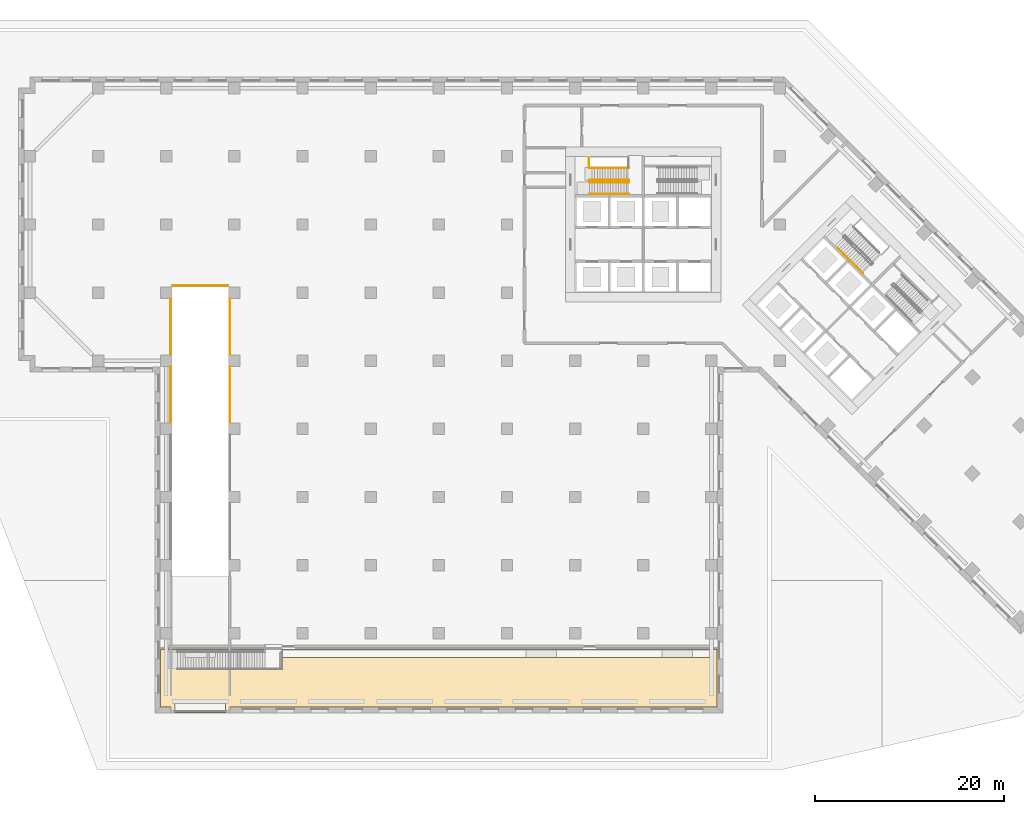
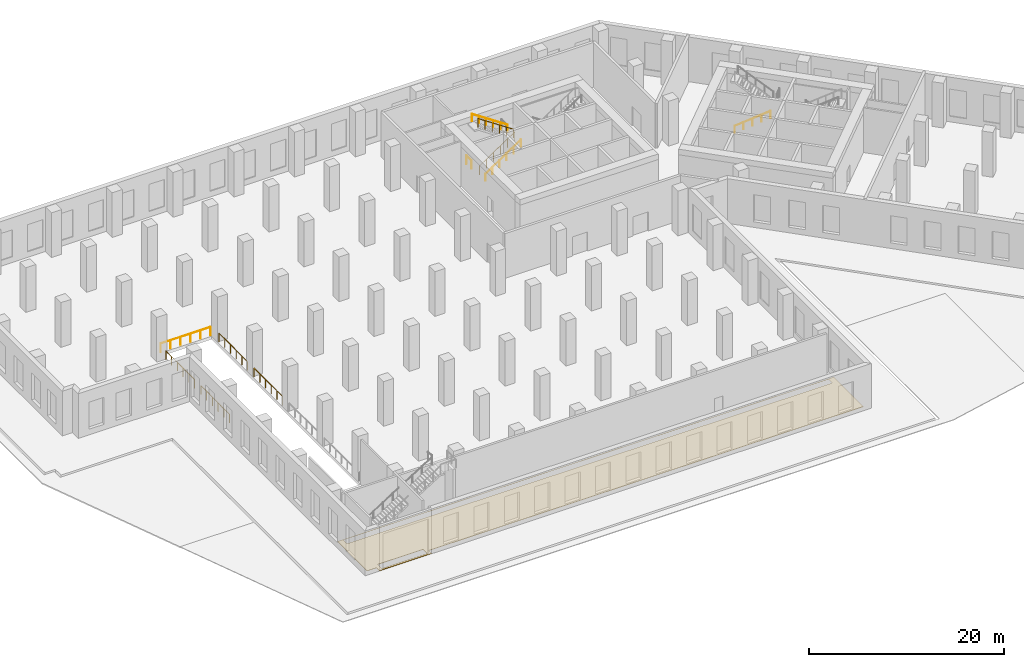
# One storey, part 12 of 15: 11 railings, 1 covering.
"""IFC4 building model written with IfcOpenShell, lengths in metres."""

import ifcopenshell
import ifcopenshell.guid

model = None  # the IFC model being written
_history = None  # IfcOwnerHistory: only IFC2X3 demands one
_inside = {}  # id of a spatial element -> (the spatial element, [elements in it])
_under = {}  # id of a project, library or spatial element -> (it, [spatial elements below it])
_declared = {}  # id of a project -> (the project, [libraries it declares])
_typed = {}  # id of a type object -> (the type object, [elements of that type])
_made_of = {}  # id of a material, layer set ... -> (it, [elements and type objects made of it])


def new_model(schema):
    """Start an empty IFC model of exactly this schema.

    Asked for "IFC4X3", IfcOpenShell would pick the latest addendum, in which some entities
    have other attributes; the version numbers below select the first issue.
    IFC2X3 requires an IfcOwnerHistory on every rooted entity: one is made here for all.
    """
    global model, _history
    if schema == "IFC4X3":
        model = ifcopenshell.file(schema_version=(4, 3, 0, 0))
    else:
        model = ifcopenshell.file(schema=schema)
    _inside.clear()
    _under.clear()
    _declared.clear()
    _typed.clear()
    _made_of.clear()
    _history = None
    if model.schema == "IFC2X3":
        org = make("IfcOrganization", Name="unknown")
        user = make(
            "IfcPersonAndOrganization",
            ThePerson=make("IfcPerson", FamilyName="unknown"),
            TheOrganization=org,
        )
        app = make(
            "IfcApplication",
            ApplicationDeveloper=org,
            Version="unknown",
            ApplicationFullName="unknown",
            ApplicationIdentifier="unknown",
        )
        _history = make(
            "IfcOwnerHistory",
            OwningUser=user,
            OwningApplication=app,
            ChangeAction="ADDED",
            CreationDate=0,
        )
    return model


def make(cls, **values):
    """One entity of the class cls with the attributes given. An attribute that is None is left unset."""
    return model.create_entity(
        cls, **{name: value for name, value in values.items() if value is not None}
    )


def rooted(cls, **values):
    """An entity with a GlobalId (a new one), such as an element, a storey or a relation."""
    return make(cls, GlobalId=ifcopenshell.guid.new(), OwnerHistory=_history, **values)


def si_unit(unit_type, name, prefix=None):
    """IfcSIUnit, for example si_unit("LENGTHUNIT", "METRE", prefix="MILLI")."""
    return make("IfcSIUnit", UnitType=unit_type, Prefix=prefix, Name=name)


def assignment(units):
    """IfcUnitAssignment: the units of a project."""
    return None if units is None else make("IfcUnitAssignment", Units=units)


def point(xyz):
    """IfcCartesianPoint."""
    return None if xyz is None else make("IfcCartesianPoint", Coordinates=xyz)


def direction(xyz):
    """IfcDirection."""
    return None if xyz is None else make("IfcDirection", DirectionRatios=xyz)


def frame(location, z_axis=None, x_axis=None):
    """IfcAxis2Placement3D, a coordinate frame: its origin and axes. An axis left out is left unset."""
    return make(
        "IfcAxis2Placement3D",
        Location=point(location),
        Axis=direction(z_axis),
        RefDirection=direction(x_axis),
    )


def frame_2d(location, x_axis=None):
    """IfcAxis2Placement2D, a coordinate frame in the plane: its origin and x axis."""
    return make(
        "IfcAxis2Placement2D", Location=point(location), RefDirection=direction(x_axis)
    )


def origin():
    """The frame at (0, 0, 0) with its axes left unset."""
    return frame((0.0, 0.0, 0.0))


def origin_2d():
    """The frame at (0, 0) in the plane with its x axis left unset."""
    return frame_2d((0.0, 0.0))


def place(relative_to, where):
    """IfcLocalPlacement: puts the frame where relative to a parent placement (None: the world)."""
    return make(
        "IfcLocalPlacement", PlacementRelTo=relative_to, RelativePlacement=where
    )


def context(
    kind, dimensions, precision=None, world=None, true_north=None, identifier=None
):
    """IfcGeometricRepresentationContext, for example the 3D "Model" context."""
    return make(
        "IfcGeometricRepresentationContext",
        ContextIdentifier=identifier,
        ContextType=kind,
        CoordinateSpaceDimension=dimensions,
        Precision=precision,
        WorldCoordinateSystem=world,
        TrueNorth=true_north,
    )


def subcontext(parent, identifier, kind, view, scale=None):
    """IfcGeometricRepresentationSubContext, for example "Body" below "Model"."""
    return make(
        "IfcGeometricRepresentationSubContext",
        ContextIdentifier=identifier,
        ContextType=kind,
        ParentContext=parent,
        TargetScale=scale,
        TargetView=view,
    )


def project(units=None, contexts=None):
    """IfcProject with its units and contexts."""
    return rooted(
        "IfcProject",
        Name="project",
        RepresentationContexts=contexts,
        UnitsInContext=assignment(units),
    )


def spatial(cls, under=None, at=None, **own):
    """A site, building, storey or space (cls), placed at a placement, below another one or the project."""
    s = rooted(cls, ObjectPlacement=at, **own)
    if under is not None:
        _under.setdefault(under.id(), (under, []))[1].append(s)
    return s


def polyline(points):
    """IfcPolyline through the points."""
    return make("IfcPolyline", Points=[point(p) for p in points])


def profile(cls, at=None, kind="AREA", **sizes):
    """A parametric profile (cls). Its sizes go by their IFC names, for example OverallWidth=200.0."""
    return make(cls, ProfileType=kind, Position=at, **sizes)


def circle(**sizes):
    """IfcCircleProfileDef."""
    return profile("IfcCircleProfileDef", **sizes)


def outline(outer, holes=None, kind="AREA"):
    """IfcArbitraryClosedProfileDef: a profile drawn as a closed curve; with holes, ...WithVoids."""
    if holes is None:
        return make("IfcArbitraryClosedProfileDef", ProfileType=kind, OuterCurve=outer)
    return make(
        "IfcArbitraryProfileDefWithVoids",
        ProfileType=kind,
        OuterCurve=outer,
        InnerCurves=holes,
    )


def extrude(swept, where, along, depth):
    """IfcExtrudedAreaSolid: the profile swept, set in the frame where, extruded along a direction by depth."""
    return make(
        "IfcExtrudedAreaSolid",
        SweptArea=swept,
        Position=where,
        ExtrudedDirection=direction(along),
        Depth=depth,
    )


def shape(context_of_items, identifier, shape_type, items):
    """IfcShapeRepresentation: the items that make up one representation, for example the "Body"."""
    return make(
        "IfcShapeRepresentation",
        ContextOfItems=context_of_items,
        RepresentationIdentifier=identifier,
        RepresentationType=shape_type,
        Items=items,
    )


def material(Name=None, Category=None):
    """IfcMaterial."""
    return make("IfcMaterial", Name=Name, Category=Category)


def layer(
    of_material, thickness, ventilated=None, Name=None, Category=None, Priority=None
):
    """IfcMaterialLayer: one layer of a wall or slab, of a material (None: an air gap)."""
    return make(
        "IfcMaterialLayer",
        Material=of_material,
        LayerThickness=thickness,
        IsVentilated=ventilated,
        Name=Name,
        Category=Category,
        Priority=Priority,
    )


def layer_set(layers, Name=None):
    """IfcMaterialLayerSet."""
    return make("IfcMaterialLayerSet", MaterialLayers=layers, LayerSetName=Name)


def made_of(thing, what):
    """Note that an element or type object is made of a material, layer set ...; save() writes the relation."""
    if what is not None:
        _made_of.setdefault(what.id(), (what, []))[1].append(thing)
    return thing


def type_object(cls, material=None, **own):
    """A type object (cls), such as IfcWallType, which elements share."""
    return made_of(rooted(cls, **own), material)


def element(
    cls,
    number,
    at=None,
    inside=None,
    cuts=None,
    type_object=None,
    material=None,
    context=None,
    identifier="Body",
    shape_type=None,
    held_by="IfcProductDefinitionShape",
    body=None,
    shapes=None,
    **own,
):
    """One element of the class cls, such as IfcWall. Its Tag is "e" and its number.

    at: its placement. inside: the storey or other place that contains it. cuts: it is an
    opening in that element (IfcRelVoidsElement). A single representation is given by context,
    identifier, shape_type and body (its items); several are given by shapes. held_by: the class
    of the entity that holds the representations. save() writes the other relations.
    """
    e = rooted(cls, Tag="e%d" % number, ObjectPlacement=at, **own)
    if body is not None:
        shapes = [shape(context, identifier, shape_type, body)]
    if shapes is not None:
        e.Representation = make(held_by, Representations=shapes)
    if inside is not None:
        _inside.setdefault(inside.id(), (inside, []))[1].append(e)
    if cuts is not None:
        rooted(
            "IfcRelVoidsElement", RelatingBuildingElement=cuts, RelatedOpeningElement=e
        )
    if type_object is not None:
        _typed.setdefault(type_object.id(), (type_object, []))[1].append(e)
    return made_of(e, material)


def aggregate(whole, parts):
    """IfcRelAggregates: a whole, such as a stair, and the parts it consists of."""
    return rooted("IfcRelAggregates", RelatingObject=whole, RelatedObjects=parts)


def save(model, path):
    """Write the relations noted so far, then the file.

    IfcRelAggregates (storeys below a building ...), IfcRelContainedInSpatialStructure (elements
    in a storey), IfcRelDefinesByType, IfcRelAssociatesMaterial and IfcRelDeclares: one each for
    every whole, place, type object, material and project.
    """
    for whole, parts in _under.values():
        aggregate(whole, parts)
    for where, things in _inside.values():
        rooted(
            "IfcRelContainedInSpatialStructure",
            RelatedElements=things,
            RelatingStructure=where,
        )
    for kind, things in _typed.values():
        rooted("IfcRelDefinesByType", RelatedObjects=things, RelatingType=kind)
    for what, things in _made_of.values():
        rooted("IfcRelAssociatesMaterial", RelatedObjects=things, RelatingMaterial=what)
    for by, libraries in _declared.values():
        rooted("IfcRelDeclares", RelatingContext=by, RelatedDefinitions=libraries)
    model.write(path)


model = new_model("IFC4")

# Units and contexts
model_context = context("Model", 3, precision=1e-05, world=origin(), true_north=direction((0.0, 1.0)))
body_context = subcontext(model_context, "Body", "Model", "MODEL_VIEW")
ifc_project = project(units=[si_unit("LENGTHUNIT", "METRE"), si_unit("AREAUNIT", "SQUARE_METRE"), si_unit("VOLUMEUNIT", "CUBIC_METRE"), si_unit("PLANEANGLEUNIT", "RADIAN"), si_unit("MASSUNIT", "GRAM", prefix="KILO")], contexts=[model_context])

# Site, building, storey
site_placement = place(None, origin())
site = spatial("IfcSite", under=ifc_project, at=site_placement, CompositionType="ELEMENT")
building_placement = place(site_placement, origin())
building = spatial("IfcBuilding", under=site, at=building_placement, Name="Windrow Commons", CompositionType="ELEMENT")
storey_placement = place(building_placement, origin())
storey = spatial("IfcBuildingStorey", under=building, at=storey_placement, Name="L00", CompositionType="ELEMENT", Elevation=0.0)

# Railings
ifc_material_1 = material(Name="Steel S355", Category="steel")
railing_type_1 = type_object("IfcRailingType", Name="CP-GUARD-1100", PredefinedType="GUARDRAIL", material=ifc_material_1)
for number, where, name in (
    (1, (14.85, 36.66, 0.0), "Ramp guard W4"),
    (2, (14.85, 43.86, 0.0), "Ramp guard W5"),
    (3, (21.15, 36.66, 0.0), "Ramp guard E4"),
    (4, (21.15, 43.86, 0.0), "Ramp guard E5"),
):
    element("IfcRailing", number, at=place(storey_placement, frame(where)), inside=storey, type_object=railing_type_1, Name=name, PredefinedType="GUARDRAIL", context=body_context, shape_type="SweptSolid", body=[
        extrude(circle(Radius=0.025, at=origin_2d()), frame((0.0, 0.0, 1.075), z_axis=(0.0, 1.0, 0.0), x_axis=(-1.0, 0.0, 0.0)), (0.0, 0.0, 1.0), 5.88),
        extrude(circle(Radius=0.02, at=origin_2d()), origin(), (0.0, 0.0, 1.0), 1.05),
        extrude(circle(Radius=0.02, at=origin_2d()), frame((0.0, 1.176, 0.0)), (0.0, 0.0, 1.0), 1.05),
        extrude(circle(Radius=0.02, at=origin_2d()), frame((0.0, 2.352, 0.0)), (0.0, 0.0, 1.0), 1.05),
        extrude(circle(Radius=0.02, at=origin_2d()), frame((0.0, 3.528, 0.0)), (0.0, 0.0, 1.0), 1.05),
        extrude(circle(Radius=0.02, at=origin_2d()), frame((0.0, 4.704, 0.0)), (0.0, 0.0, 1.0), 1.05),
        extrude(circle(Radius=0.02, at=origin_2d()), frame((0.0, 5.88, 0.0)), (0.0, 0.0, 1.0), 1.05),
    ])
railing_1_placement = place(storey_placement, frame((15.06, 51.15, 0.0)))
element("IfcRailing", 5, at=railing_1_placement, inside=storey, type_object=railing_type_1, Name="Ramp guard N", PredefinedType="GUARDRAIL", context=body_context, shape_type="SweptSolid", body=[
    extrude(circle(Radius=0.025, at=origin_2d()), frame((0.0, 0.0, 1.075), z_axis=(1.0, 0.0, 0.0), x_axis=(0.0, 1.0, 0.0)), (0.0, 0.0, 1.0), 5.88),
    extrude(circle(Radius=0.02, at=origin_2d()), origin(), (0.0, 0.0, 1.0), 1.05),
    extrude(circle(Radius=0.02, at=origin_2d()), frame((1.176, 0.0, 0.0)), (0.0, 0.0, 1.0), 1.05),
    extrude(circle(Radius=0.02, at=origin_2d()), frame((2.352, 0.0, 0.0)), (0.0, 0.0, 1.0), 1.05),
    extrude(circle(Radius=0.02, at=origin_2d()), frame((3.528, 0.0, 0.0)), (0.0, 0.0, 1.0), 1.05),
    extrude(circle(Radius=0.02, at=origin_2d()), frame((4.704, 0.0, 0.0)), (0.0, 0.0, 1.0), 1.05),
    extrude(circle(Radius=0.02, at=origin_2d()), frame((5.88, 0.0, 0.0)), (0.0, 0.0, 1.0), 1.05),
])
ifc_material_2 = material(Name="Steel S355", Category="steel")
railing_type_2 = type_object("IfcRailingType", Name="Core stair guard 1100", PredefinedType="GUARDRAIL", material=ifc_material_2)
railing_2_placement = place(storey_placement, frame((59.1, 62.05, 0.1875)))
element("IfcRailing", 6, at=railing_2_placement, inside=storey, type_object=railing_type_2, Name="L00 ST-A1 stair guard 1", PredefinedType="GUARDRAIL", context=body_context, shape_type="SweptSolid", body=[
    extrude(circle(Radius=0.024, at=origin_2d()), frame((0.0, 0.0, 1.076), z_axis=(0.830907177, 0.0, 0.556411056), x_axis=(0.0, 1.0, 0.0)), (0.0, 0.0, 1.0), 5.0547),
    extrude(circle(Radius=0.021, at=origin_2d()), origin(), (0.0, 0.0, 1.0), 1.052),
    extrude(circle(Radius=0.021, at=origin_2d()), frame((0.84, 0.0, 0.5625)), (0.0, 0.0, 1.0), 1.052),
    extrude(circle(Radius=0.021, at=origin_2d()), frame((1.68, 0.0, 1.125)), (0.0, 0.0, 1.0), 1.052),
    extrude(circle(Radius=0.021, at=origin_2d()), frame((2.52, 0.0, 1.6875)), (0.0, 0.0, 1.0), 1.052),
    extrude(circle(Radius=0.021, at=origin_2d()), frame((3.36, 0.0, 2.25)), (0.0, 0.0, 1.0), 1.052),
    extrude(circle(Radius=0.021, at=origin_2d()), frame((4.2, 0.0, 2.8125)), (0.0, 0.0, 1.0), 1.052),
])
railing_3_placement = place(storey_placement, frame((63.3, 62.3, 3.1875)))
element("IfcRailing", 7, at=railing_3_placement, inside=storey, type_object=railing_type_2, Name="L00 ST-A1 stair guard 2", PredefinedType="GUARDRAIL", context=body_context, shape_type="SweptSolid", body=[
    extrude(circle(Radius=0.024, at=origin_2d()), frame((0.0, 0.0, 1.076), z_axis=(-0.830907177, 0.0, 0.556411056), x_axis=(0.0, -1.0, 0.0)), (0.0, 0.0, 1.0), 5.0547),
    extrude(circle(Radius=0.021, at=origin_2d()), origin(), (0.0, 0.0, 1.0), 1.052),
    extrude(circle(Radius=0.021, at=origin_2d()), frame((-0.84, 0.0, 0.5625)), (0.0, 0.0, 1.0), 1.052),
    extrude(circle(Radius=0.021, at=origin_2d()), frame((-1.68, 0.0, 1.125)), (0.0, 0.0, 1.0), 1.052),
    extrude(circle(Radius=0.021, at=origin_2d()), frame((-2.52, 0.0, 1.6875)), (0.0, 0.0, 1.0), 1.052),
    extrude(circle(Radius=0.021, at=origin_2d()), frame((-3.36, 0.0, 2.25)), (0.0, 0.0, 1.0), 1.052),
    extrude(circle(Radius=0.021, at=origin_2d()), frame((-4.2, 0.0, 2.8125)), (0.0, 0.0, 1.0), 1.052),
])
railing_4_placement = place(storey_placement, frame((59.05, 63.6, 0.0)))
element("IfcRailing", 8, at=railing_4_placement, inside=storey, type_object=railing_type_2, Name="L00 ST-A1 stair guard 3", PredefinedType="GUARDRAIL", context=body_context, shape_type="SweptSolid", body=[
    extrude(circle(Radius=0.024, at=origin_2d()), frame((0.0, 0.0, 1.076), z_axis=(0.0, 1.0, 0.0), x_axis=(-1.0, 0.0, 0.0)), (0.0, 0.0, 1.0), 1.03),
    extrude(circle(Radius=0.021, at=origin_2d()), origin(), (0.0, 0.0, 1.0), 1.052),
    extrude(circle(Radius=0.021, at=origin_2d()), frame((0.0, 1.03, 0.0)), (0.0, 0.0, 1.0), 1.052),
])
ifc_material_3 = material(Name="Steel S355", Category="steel")
railing_type_3 = type_object("IfcRailingType", Name="Core stair handrail 900", PredefinedType="HANDRAIL", material=ifc_material_3)
railing_5_placement = place(storey_placement, frame((59.1, 60.8, 0.1875)))
element("IfcRailing", 9, at=railing_5_placement, inside=storey, type_object=railing_type_3, Name="L00 ST-A1 stair handrail 1", PredefinedType="HANDRAIL", context=body_context, shape_type="SweptSolid", body=[
    extrude(circle(Radius=0.024, at=origin_2d()), frame((0.0, 0.0, 0.876), z_axis=(0.830907177, 0.0, 0.556411056), x_axis=(0.0, 1.0, 0.0)), (0.0, 0.0, 1.0), 5.0547),
    extrude(circle(Radius=0.021, at=origin_2d()), origin(), (0.0, 0.0, 1.0), 0.852),
    extrude(circle(Radius=0.021, at=origin_2d()), frame((0.84, 0.0, 0.5625)), (0.0, 0.0, 1.0), 0.852),
    extrude(circle(Radius=0.021, at=origin_2d()), frame((1.68, 0.0, 1.125)), (0.0, 0.0, 1.0), 0.852),
    extrude(circle(Radius=0.021, at=origin_2d()), frame((2.52, 0.0, 1.6875)), (0.0, 0.0, 1.0), 0.852),
    extrude(circle(Radius=0.021, at=origin_2d()), frame((3.36, 0.0, 2.25)), (0.0, 0.0, 1.0), 0.852),
    extrude(circle(Radius=0.021, at=origin_2d()), frame((4.2, 0.0, 2.8125)), (0.0, 0.0, 1.0), 0.852),
])
railing_6_placement = place(storey_placement, frame((63.3, 63.55, 3.1875)))
element("IfcRailing", 10, at=railing_6_placement, inside=storey, type_object=railing_type_3, Name="L00 ST-A1 stair handrail 2", PredefinedType="HANDRAIL", context=body_context, shape_type="SweptSolid", body=[
    extrude(circle(Radius=0.024, at=origin_2d()), frame((0.0, 0.0, 0.876), z_axis=(-0.830907177, 0.0, 0.556411056), x_axis=(0.0, -1.0, 0.0)), (0.0, 0.0, 1.0), 5.0547),
    extrude(circle(Radius=0.021, at=origin_2d()), origin(), (0.0, 0.0, 1.0), 0.852),
    extrude(circle(Radius=0.021, at=origin_2d()), frame((-0.84, 0.0, 0.5625)), (0.0, 0.0, 1.0), 0.852),
    extrude(circle(Radius=0.021, at=origin_2d()), frame((-1.68, 0.0, 1.125)), (0.0, 0.0, 1.0), 0.852),
    extrude(circle(Radius=0.021, at=origin_2d()), frame((-2.52, 0.0, 1.6875)), (0.0, 0.0, 1.0), 0.852),
    extrude(circle(Radius=0.021, at=origin_2d()), frame((-3.36, 0.0, 2.25)), (0.0, 0.0, 1.0), 0.852),
    extrude(circle(Radius=0.021, at=origin_2d()), frame((-4.2, 0.0, 2.8125)), (0.0, 0.0, 1.0), 0.852),
])
railing_7_placement = place(storey_placement, frame((85.3518, 55.1001, 0.4554)))
element("IfcRailing", 11, at=railing_7_placement, inside=storey, type_object=railing_type_3, Name="L00 ST-B1 stair handrail 1", PredefinedType="HANDRAIL", context=body_context, shape_type="SweptSolid", body=[
    extrude(circle(Radius=0.024, at=origin_2d()), frame((0.0, 0.0, 0.876), z_axis=(0.5875427724, -0.5875427724, 0.5564054108), x_axis=(0.7071067812, 0.7071067812, 0.0)), (0.0, 0.0, 1.0), 4.5733),
    extrude(circle(Radius=0.021, at=origin_2d()), origin(), (0.0, 0.0, 1.0), 0.852),
    extrude(circle(Radius=0.021, at=origin_2d()), frame((0.6717, -0.6717, 0.6361)), (0.0, 0.0, 1.0), 0.852),
    extrude(circle(Radius=0.021, at=origin_2d()), frame((1.3435, -1.3435, 1.2723)), (0.0, 0.0, 1.0), 0.852),
    extrude(circle(Radius=0.021, at=origin_2d()), frame((2.0152, -2.0152, 1.9084)), (0.0, 0.0, 1.0), 0.852),
    extrude(circle(Radius=0.021, at=origin_2d()), frame((2.687, -2.687, 2.5446)), (0.0, 0.0, 1.0), 0.852),
])

# Covering
ifc_material_4 = material(Name="Granite pavers on waterproofing membrane", Category="masonry")
ifc_layer = layer(ifc_material_4, 0.05)
ifc_layer_set = layer_set([ifc_layer], Name="Terrace roofing 50")
covering_type = type_object("IfcCoveringType", Name="Terrace roofing 50", PredefinedType="ROOFING", material=ifc_layer_set)
covering_placement = place(storey_placement, origin())
element("IfcCovering", 12, at=covering_placement, inside=storey, type_object=covering_type, Name="Terrace roofing TR-L00-1", PredefinedType="ROOFING", context=body_context, shape_type="SweptSolid", body=[
    extrude(outline(polyline([(14.9, 6.0), (14.9, 6.6), (13.8, 6.6), (13.8, 12.69), (72.6, 12.69), (72.6, 6.6), (21.1, 6.6), (21.1, 6.0), (14.9, 6.0)]), holes=[polyline([(20.68, 6.24), (20.68, 7.06), (15.32, 7.06), (15.32, 6.24), (20.68, 6.24)]), polyline([(71.95, 12.66), (14.45, 12.66), (14.45, 11.84), (71.95, 11.84), (71.95, 12.66)])]), origin(), (0.0, 0.0, 1.0), 0.05),
])

save(model, "model.ifc")
